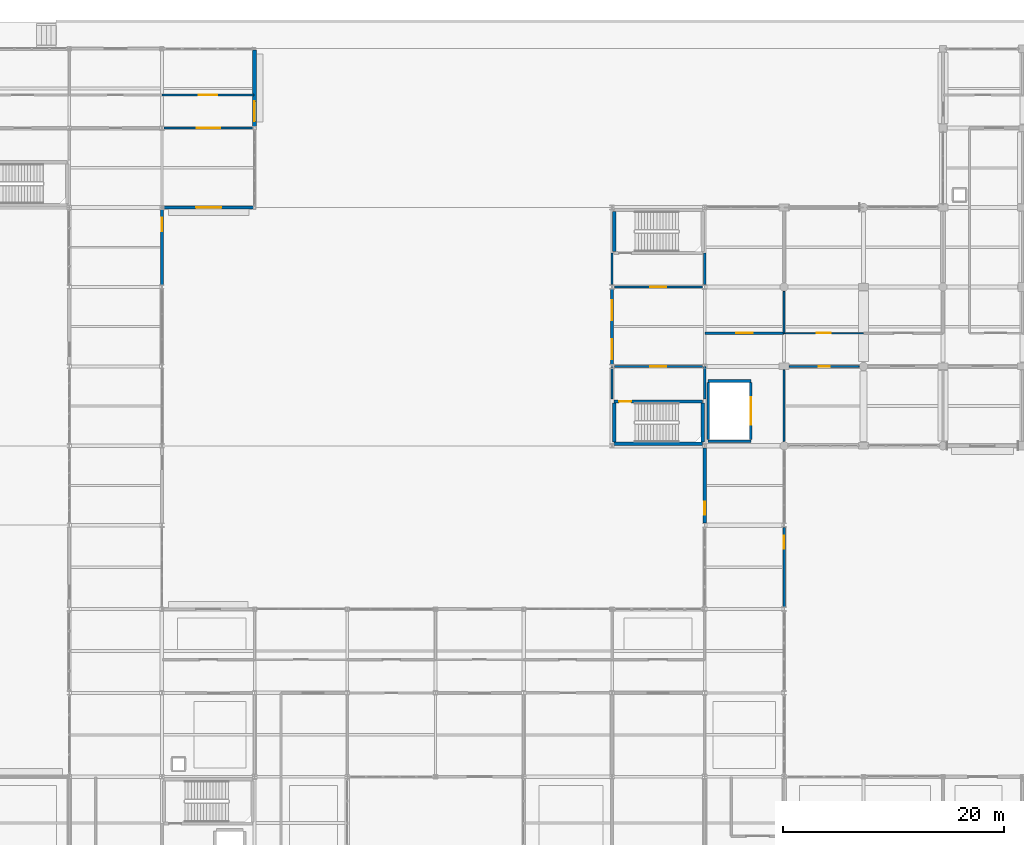
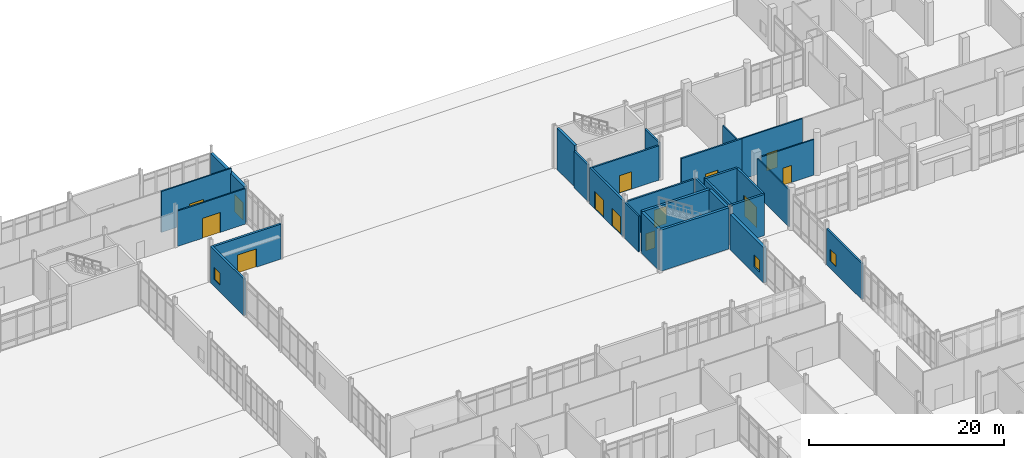
# One storey, part 197 of 229: 28 walls, 13 doors, 3 windows, 16 openings.
"""IFC4 building model written with IfcOpenShell, lengths in metres."""

from ifc_helpers import new_model, si_unit, direction, frame, frame_2d, origin, place, context, subcontext, project, spatial, rectangle, extrude, material, layer, layer_set, type_object, element, fill, save


model = new_model("IFC4")

# Units and contexts
model_context = context("Model", 3, precision=1e-05, world=origin(), true_north=direction((0.0, 1.0)))
body_context = subcontext(model_context, "Body", "Model", "MODEL_VIEW")
ifc_project = project(units=[si_unit("LENGTHUNIT", "METRE"), si_unit("AREAUNIT", "SQUARE_METRE"), si_unit("VOLUMEUNIT", "CUBIC_METRE"), si_unit("PLANEANGLEUNIT", "RADIAN"), si_unit("MASSUNIT", "GRAM", prefix="KILO")], contexts=[model_context])

# Site, building, storey
site_placement = place(None, origin())
site = spatial("IfcSite", under=ifc_project, at=site_placement, CompositionType="ELEMENT")
building_placement = place(site_placement, origin())
building = spatial("IfcBuilding", under=site, at=building_placement, Name="Calvrana Isthmian Art Gallery", CompositionType="ELEMENT")
storey_placement = place(building_placement, origin())
storey = spatial("IfcBuildingStorey", under=building, at=storey_placement, Name="L00", CompositionType="ELEMENT", Elevation=0.0)

# Wall
ifc_material_1 = material(Name="Concrete C40/50", Category="concrete")
ifc_layer_1 = layer(ifc_material_1, 0.300048828125, Name="Concrete C40/50")
ifc_layer_set_1 = layer_set([ifc_layer_1], Name="Concrete C40/50")
wall_type_1 = type_object("IfcWallType", Name="CW-SHAFT-300", PredefinedType="SHEAR", material=ifc_layer_set_1)
wall_1_placement = place(storey_placement, frame((104.590087890625, 77.0, 0.0), z_axis=(0.0, 0.0, 1.0), x_axis=(1.0, 0.0, 0.0)))
element("IfcWall", 1, at=wall_1_placement, inside=storey, type_object=wall_type_1, Name="Core C5 shear wall S L00", PredefinedType="SHEAR", context=body_context, shape_type="SweptSolid", body=[
    extrude(rectangle(XDim=8.02001953125, YDim=0.300048828125, at=frame_2d((4.010009765625, 0.0))), origin(), (0.0, 0.0, 1.0), 5.159912109375),
])

# Wall, opening, door
wall_2_placement = place(storey_placement, frame((104.590087890625, 80.820068359375, 0.0), z_axis=(0.0, 0.0, 1.0), x_axis=(1.0, 0.0, 0.0)))
wall_2 = element("IfcWall", 2, at=wall_2_placement, inside=storey, type_object=wall_type_1, Name="Core C5 shear wall N L00", PredefinedType="SHEAR", context=body_context, shape_type="SweptSolid", body=[
    extrude(rectangle(XDim=8.02001953125, YDim=0.300048828125, at=frame_2d((4.010009765625, 0.0))), origin(), (0.0, 0.0, 1.0), 5.159912109375),
])
opening_1_placement = place(wall_2_placement, frame((0.449951171875, 0.0, 0.0)))
opening_1 = element("IfcOpeningElement", 3, at=opening_1_placement, cuts=wall_2, Name="Opening D-158", PredefinedType="OPENING", context=body_context, shape_type="SweptSolid", body=[
    extrude(rectangle(XDim=1.10009765625, YDim=2.14990234375, at=frame_2d((0.550048828125, 1.074951171875))), frame((0.0, 0.16015625, 0.0), z_axis=(0.0, -1.0, 0.0), x_axis=(1.0, 0.0, 0.0)), (0.0, 0.0, 1.0), 0.320556640625),
])
ifc_material_2 = material(Name="Steel ASTM A572 Gr 50", Category="steel")
door_type_1 = type_object("IfcDoorType", Name="DR-FIRE-1100", OperationType="NOTDEFINED", PredefinedType="DOOR", material=ifc_material_2)
door_1_placement = place(opening_1_placement, origin())
door_1 = element("IfcDoor", 4, at=door_1_placement, inside=storey, type_object=door_type_1, Name="Stair ST-5 fire door L00", OperationType="SINGLE_SWING_RIGHT", OverallHeight=2.14990234375, OverallWidth=1.10009765625, PredefinedType="DOOR", context=body_context, shape_type="SweptSolid", body=[
    extrude(rectangle(XDim=1.10009765625, YDim=2.14990234375, at=frame_2d((0.550048828125, 1.074951171875))), frame((0.0, 0.02490234375, 0.0), z_axis=(0.0, -1.0, 0.0), x_axis=(1.0, 0.0, 0.0)), (0.0, 0.0, 1.0), 0.050048828125),
])
fill(opening_1, door_1)

# Walls
for number, where, z_axis, x_axis, name in (
    (5, (104.590087890625, 77.14990234375, 0.0), (0.0, 0.0, 1.0), (0.0, 1.0, 0.0), "Core C5 shear wall W L00"),
    (6, (112.610107421875, 77.14990234375, 0.0), (0.0, 0.0, 1.0), (0.0, 1.0, 0.0), "Core C5 shear wall E L00"),
):
    element("IfcWall", number, at=place(storey_placement, frame(where, z_axis=z_axis, x_axis=x_axis)), inside=storey, type_object=wall_type_1, Name=name, PredefinedType="SHEAR", context=body_context, shape_type="SweptSolid", body=[
        extrude(rectangle(XDim=3.52001953125, YDim=0.300048828125, at=frame_2d((1.760009765625, 0.0))), origin(), (0.0, 0.0, 1.0), 5.159912109375),
    ])
wall_3_placement = place(storey_placement, frame((104.590087890625, 94.429931640625, 0.0), z_axis=(0.0, 0.0, 1.0), x_axis=(0.0, 1.0, 0.0)))
element("IfcWall", 7, at=wall_3_placement, inside=storey, type_object=wall_type_1, Name="Core C8 shear wall W L00", PredefinedType="SHEAR", context=body_context, shape_type="SweptSolid", body=[
    extrude(rectangle(XDim=3.60009765625, YDim=0.300048828125, at=frame_2d((1.800048828125, 0.0))), origin(), (0.0, 0.0, 1.0), 5.159912109375),
])

# Wall, opening, window
ifc_material_3 = material(Name="Precast concrete C40/50", Category="concrete")
ifc_layer_2 = layer(ifc_material_3, 0.219970703125, Name="Precast concrete C40/50")
ifc_layer_set_2 = layer_set([ifc_layer_2], Name="Precast concrete C40/50")
wall_type_2 = type_object("IfcWallType", Name="EW-ACOUST-220", PredefinedType="SOLIDWALL", material=ifc_layer_set_2)
wall_4_placement = place(storey_placement, frame((120.0, 69.406982421875, 0.0), z_axis=(0.0, 0.0, 1.0), x_axis=(0.0, -1.0, 0.0)))
wall_4 = element("IfcWall", 8, at=wall_4_placement, inside=storey, type_object=wall_type_2, Name="Exterior wall EW-047", PredefinedType="SOLIDWALL", context=body_context, shape_type="SweptSolid", body=[
    extrude(rectangle(XDim=7.216552734375, YDim=0.219970703125, at=frame_2d((3.6083984375, 0.0))), origin(), (0.0, 0.0, 1.0), 4.512939453125),
])
opening_2_placement = place(wall_4_placement, frame((0.75, 0.0, 0.89990234375)))
opening_2 = element("IfcOpeningElement", 9, at=opening_2_placement, cuts=wall_4, Name="Opening W-017", PredefinedType="OPENING", context=body_context, shape_type="SweptSolid", body=[
    extrude(rectangle(XDim=1.199951171875, YDim=1.5, at=frame_2d((0.60009765625, 0.75))), frame((0.0, 0.1201171875, 0.0), z_axis=(0.0, -1.0, 0.0), x_axis=(1.0, 0.0, 0.0)), (0.0, 0.0, 1.0), 0.240478515625),
])
ifc_material_4 = material(Name="Low-E laminated solar glass", Category="glass")
window_type = type_object("IfcWindowType", Name="WN-G01", PartitioningType="SINGLE_PANEL", PredefinedType="WINDOW", material=ifc_material_4)
window_1_placement = place(opening_2_placement, origin())
window_1 = element("IfcWindow", 10, at=window_1_placement, inside=storey, type_object=window_type, Name="Facade window W-017", OverallHeight=1.5, OverallWidth=1.199951171875, PartitioningType="SINGLE_PANEL", PredefinedType="WINDOW", context=body_context, shape_type="SweptSolid", body=[
    extrude(rectangle(XDim=1.199951171875, YDim=1.5, at=frame_2d((0.60009765625, 0.75))), frame((0.0, 0.030029296875, 0.0), z_axis=(0.0, -1.0, 0.0), x_axis=(1.0, 0.0, 0.0)), (0.0, 0.0, 1.0), 0.06005859375),
])
fill(opening_2, window_1)

# Wall, opening, door
ifc_layer_3 = layer(ifc_material_3, 0.35009765625, Name="Precast concrete C40/50")
ifc_layer_set_3 = layer_set([ifc_layer_3], Name="Precast concrete C40/50")
wall_type_3 = type_object("IfcWallType", Name="EW-PREC-350", PredefinedType="SOLIDWALL", material=ifc_layer_set_3)
wall_5_placement = place(storey_placement, frame((72.0, 112.698486328125, 0.0), z_axis=(0.0, 0.0, 1.0), x_axis=(0.0, -1.0, 0.0)))
wall_5 = element("IfcWall", 11, at=wall_5_placement, inside=storey, type_object=wall_type_3, Name="Exterior wall EW-042", PredefinedType="SOLIDWALL", context=body_context, shape_type="SweptSolid", body=[
    extrude(rectangle(XDim=6.946044921875, YDim=0.35009765625, at=frame_2d((3.47314453125, 0.0))), origin(), (0.0, 0.0, 1.0), 4.532958984375),
])
opening_3_placement = place(wall_5_placement, frame((4.678466796875, 0.0, 0.0)))
opening_3 = element("IfcOpeningElement", 12, at=opening_3_placement, cuts=wall_5, Name="Opening D-E23", PredefinedType="OPENING", context=body_context, shape_type="SweptSolid", body=[
    extrude(rectangle(XDim=1.800048828125, YDim=2.199951171875, at=frame_2d((0.89990234375, 1.10009765625))), frame((0.0, 0.185302734375, 0.0), z_axis=(0.0, -1.0, 0.0), x_axis=(1.0, 0.0, 0.0)), (0.0, 0.0, 1.0), 0.37060546875),
])
door_type_2 = type_object("IfcDoorType", Name="DR-EXT-EXIT-1800", OperationType="DOUBLE_DOOR_SINGLE_SWING", PredefinedType="DOOR", material=ifc_material_2)
door_2_placement = place(opening_3_placement, origin())
door_2 = element("IfcDoor", 13, at=door_2_placement, inside=storey, type_object=door_type_2, Name="Protected corridor final exit D-E23", OperationType="DOUBLE_DOOR_SINGLE_SWING", OverallHeight=2.199951171875, OverallWidth=1.800048828125, PredefinedType="DOOR", context=body_context, shape_type="SweptSolid", body=[
    extrude(rectangle(XDim=1.800048828125, YDim=2.199951171875, at=frame_2d((0.89990234375, 1.10009765625))), frame((0.0, 0.02490234375, 0.0), z_axis=(0.0, -1.0, 0.0), x_axis=(1.0, 0.0, 0.0)), (0.0, 0.0, 1.0), 0.050048828125),
])
fill(opening_3, door_2)

# Wall, opening, window
wall_6_placement = place(storey_placement, frame((112.800048828125, 69.78662109375, 0.0), z_axis=(0.0, 0.0, 1.0), x_axis=(0.0, 1.0, 0.0)))
wall_6 = element("IfcWall", 14, at=wall_6_placement, inside=storey, type_object=wall_type_3, Name="Exterior wall EW-046", PredefinedType="SOLIDWALL", context=body_context, shape_type="SweptSolid", body=[
    extrude(rectangle(XDim=6.825439453125, YDim=0.35009765625, at=frame_2d((3.41259765625, 0.0))), origin(), (0.0, 0.0, 1.0), 4.472900390625),
])
opening_4_placement = place(wall_6_placement, frame((0.75, 0.0, 0.89990234375)))
opening_4 = element("IfcOpeningElement", 15, at=opening_4_placement, cuts=wall_6, Name="Opening W-016", PredefinedType="OPENING", context=body_context, shape_type="SweptSolid", body=[
    extrude(rectangle(XDim=1.199951171875, YDim=1.5, at=frame_2d((0.60009765625, 0.75))), frame((0.0, 0.185302734375, 0.0), z_axis=(0.0, -1.0, 0.0), x_axis=(1.0, 0.0, 0.0)), (0.0, 0.0, 1.0), 0.37060546875),
])
window_2_placement = place(opening_4_placement, origin())
window_2 = element("IfcWindow", 16, at=window_2_placement, inside=storey, type_object=window_type, Name="Facade window W-016", OverallHeight=1.5, OverallWidth=1.199951171875, PartitioningType="SINGLE_PANEL", PredefinedType="WINDOW", context=body_context, shape_type="SweptSolid", body=[
    extrude(rectangle(XDim=1.199951171875, YDim=1.5, at=frame_2d((0.60009765625, 0.75))), frame((0.0, 0.030029296875, 0.0), z_axis=(0.0, -1.0, 0.0), x_axis=(1.0, 0.0, 0.0)), (0.0, 0.0, 1.0), 0.06005859375),
])
fill(opening_4, window_2)

# Wall, opening, door
ifc_material_5 = material(Name="Polychrome glazed terracotta", Category="masonry")
ifc_layer_4 = layer(ifc_material_5, 0.25, Name="Polychrome glazed terracotta")
ifc_layer_set_4 = layer_set([ifc_layer_4], Name="Polychrome glazed terracotta")
wall_type_4 = type_object("IfcWallType", Name="EW-TERRA-250", PredefinedType="SOLIDWALL", material=ifc_layer_set_4)
wall_7_placement = place(storey_placement, frame((71.8984375, 98.39990234375, 0.0), z_axis=(0.0, 0.0, 1.0), x_axis=(-1.0, 0.0, 0.0)))
wall_7 = element("IfcWall", 17, at=wall_7_placement, inside=storey, type_object=wall_type_4, Name="Exterior wall EW-021", PredefinedType="SOLIDWALL", context=body_context, shape_type="SweptSolid", body=[
    extrude(rectangle(XDim=8.11181640625, YDim=0.25, at=frame_2d((4.055908203125, 0.0))), origin(), (0.0, 0.0, 1.0), 4.3779296875),
])
opening_5_placement = place(wall_7_placement, frame((2.906005859375, 0.0, 0.0)))
opening_5 = element("IfcOpeningElement", 18, at=opening_5_placement, cuts=wall_7, Name="Opening VG-03", PredefinedType="OPENING", context=body_context, shape_type="SweptSolid", body=[
    extrude(rectangle(XDim=2.300048828125, YDim=2.300048828125, at=frame_2d((1.14990234375, 1.14990234375))), frame((0.0, 0.13525390625, 0.0), z_axis=(0.0, -1.0, 0.0), x_axis=(1.0, 0.0, 0.0)), (0.0, 0.0, 1.0), 0.2705078125),
])
ifc_material_6 = material(Name="Anodized bronze aluminium 6063-T6", Category="aluminium")
door_type_3 = type_object("IfcDoorType", Name="GT-YARD-2300", OperationType="DOUBLE_DOOR_SINGLE_SWING", PredefinedType="GATE", material=ifc_material_6)
door_3_placement = place(opening_5_placement, origin())
door_3 = element("IfcDoor", 19, at=door_3_placement, inside=storey, type_object=door_type_3, Name="Service court security gate VG-03", OperationType="DOUBLE_DOOR_SINGLE_SWING", OverallHeight=2.300048828125, OverallWidth=2.300048828125, PredefinedType="GATE", context=body_context, shape_type="SweptSolid", body=[
    extrude(rectangle(XDim=2.300048828125, YDim=2.300048828125, at=frame_2d((1.14990234375, 1.14990234375))), frame((0.0, 0.02490234375, 0.0), z_axis=(0.0, -1.0, 0.0), x_axis=(1.0, 0.0, 0.0)), (0.0, 0.0, 1.0), 0.050048828125),
])
fill(opening_5, door_3)

# Wall, opening, window
wall_8_placement = place(storey_placement, frame((63.60009765625, 98.216064453125, 0.0), z_axis=(0.0, 0.0, 1.0), x_axis=(0.0, -1.0, 0.0)))
wall_8 = element("IfcWall", 20, at=wall_8_placement, inside=storey, type_object=wall_type_4, Name="Exterior wall EW-041", PredefinedType="SOLIDWALL", context=body_context, shape_type="SweptSolid", body=[
    extrude(rectangle(XDim=6.83447265625, YDim=0.25, at=frame_2d((3.417236328125, 0.0))), origin(), (0.0, 0.0, 1.0), 4.60693359375),
])
opening_6_placement = place(wall_8_placement, frame((0.75, 0.0, 0.89990234375)))
opening_6 = element("IfcOpeningElement", 21, at=opening_6_placement, cuts=wall_8, Name="Opening W-013", PredefinedType="OPENING", context=body_context, shape_type="SweptSolid", body=[
    extrude(rectangle(XDim=1.199951171875, YDim=1.5, at=frame_2d((0.60009765625, 0.75))), frame((0.0, 0.13525390625, 0.0), z_axis=(0.0, -1.0, 0.0), x_axis=(1.0, 0.0, 0.0)), (0.0, 0.0, 1.0), 0.2705078125),
])
window_3_placement = place(opening_6_placement, origin())
window_3 = element("IfcWindow", 22, at=window_3_placement, inside=storey, type_object=window_type, Name="Facade window W-013", OverallHeight=1.5, OverallWidth=1.199951171875, PartitioningType="SINGLE_PANEL", PredefinedType="WINDOW", context=body_context, shape_type="SweptSolid", body=[
    extrude(rectangle(XDim=1.199951171875, YDim=1.5, at=frame_2d((0.60009765625, 0.75))), frame((0.0, 0.030029296875, 0.0), z_axis=(0.0, -1.0, 0.0), x_axis=(1.0, 0.0, 0.0)), (0.0, 0.0, 1.0), 0.06005859375),
])
fill(opening_6, window_3)

# Wall, openings, doors
wall_9_placement = place(storey_placement, frame((104.39990234375, 84.193115234375, 0.0), z_axis=(0.0, 0.0, 1.0), x_axis=(0.0, 1.0, 0.0)))
wall_9 = element("IfcWall", 23, at=wall_9_placement, inside=storey, type_object=wall_type_4, Name="Exterior wall EW-045", PredefinedType="SOLIDWALL", context=body_context, shape_type="SweptSolid", body=[
    extrude(rectangle(XDim=6.8203125, YDim=0.25, at=frame_2d((3.41015625, 0.0))), origin(), (0.0, 0.0, 1.0), 4.547119140625),
])
opening_7_placement = place(wall_9_placement, frame((0.45703125, 0.0, 0.0)))
opening_7 = element("IfcOpeningElement", 24, at=opening_7_placement, cuts=wall_9, Name="Opening D-E24", PredefinedType="OPENING", context=body_context, shape_type="SweptSolid", body=[
    extrude(rectangle(XDim=1.800048828125, YDim=2.199951171875, at=frame_2d((0.89990234375, 1.10009765625))), frame((0.0, 0.13525390625, 0.0), z_axis=(0.0, -1.0, 0.0), x_axis=(1.0, 0.0, 0.0)), (0.0, 0.0, 1.0), 0.2705078125),
])
opening_8_placement = place(wall_9_placement, frame((4.007080078125, 0.0, 0.0)))
opening_8 = element("IfcOpeningElement", 25, at=opening_8_placement, cuts=wall_9, Name="Opening D-E25", PredefinedType="OPENING", context=body_context, shape_type="SweptSolid", body=[
    extrude(rectangle(XDim=1.800048828125, YDim=2.199951171875, at=frame_2d((0.89990234375, 1.10009765625))), frame((0.0, 0.13525390625, 0.0), z_axis=(0.0, -1.0, 0.0), x_axis=(1.0, 0.0, 0.0)), (0.0, 0.0, 1.0), 0.2705078125),
])
door_4_placement = place(opening_7_placement, origin())
door_4 = element("IfcDoor", 26, at=door_4_placement, inside=storey, type_object=door_type_2, Name="Protected corridor final exit D-E24", OperationType="DOUBLE_DOOR_SINGLE_SWING", OverallHeight=2.199951171875, OverallWidth=1.800048828125, PredefinedType="DOOR", context=body_context, shape_type="SweptSolid", body=[
    extrude(rectangle(XDim=1.800048828125, YDim=2.199951171875, at=frame_2d((0.89990234375, 1.10009765625))), frame((0.0, 0.02490234375, 0.0), z_axis=(0.0, -1.0, 0.0), x_axis=(1.0, 0.0, 0.0)), (0.0, 0.0, 1.0), 0.050048828125),
])
fill(opening_7, door_4)
door_5_placement = place(opening_8_placement, origin())
door_5 = element("IfcDoor", 27, at=door_5_placement, inside=storey, type_object=door_type_2, Name="Protected corridor final exit D-E25", OperationType="DOUBLE_DOOR_SINGLE_SWING", OverallHeight=2.199951171875, OverallWidth=1.800048828125, PredefinedType="DOOR", context=body_context, shape_type="SweptSolid", body=[
    extrude(rectangle(XDim=1.800048828125, YDim=2.199951171875, at=frame_2d((0.89990234375, 1.10009765625))), frame((0.0, 0.02490234375, 0.0), z_axis=(0.0, -1.0, 0.0), x_axis=(1.0, 0.0, 0.0)), (0.0, 0.0, 1.0), 0.050048828125),
])
fill(opening_8, door_5)

# Walls
ifc_material_7 = material(Name="Acoustic gypsum ceiling", Category="gypsum")
ifc_layer_5 = layer(ifc_material_7, 0.199951171875, Name="Acoustic gypsum ceiling")
ifc_layer_set_5 = layer_set([ifc_layer_5], Name="Acoustic gypsum ceiling")
wall_type_5 = type_object("IfcWallType", Name="PW-FIRE-200", PredefinedType="PARTITIONING", material=ifc_layer_set_5)
wall_10_placement = place(storey_placement, frame((104.39990234375, 81.0400390625, 0.0), z_axis=(0.0, 0.0, 1.0), x_axis=(0.0, 1.0, 0.0)))
element("IfcWall", 28, at=wall_10_placement, inside=storey, type_object=wall_type_5, Name="Core C5 lobby W closure L00", PredefinedType="PARTITIONING", context=body_context, shape_type="SweptSolid", body=[
    extrude(rectangle(XDim=2.93994140625, YDim=0.199951171875, at=frame_2d((1.469970703125, 0.0))), origin(), (0.0, 0.0, 1.0), 4.472900390625),
])
wall_11_placement = place(storey_placement, frame((112.800048828125, 81.0400390625, 0.0), z_axis=(0.0, 0.0, 1.0), x_axis=(0.0, 1.0, 0.0)))
element("IfcWall", 29, at=wall_11_placement, inside=storey, type_object=wall_type_5, Name="Core C5 lobby E closure L00", PredefinedType="PARTITIONING", context=body_context, shape_type="SweptSolid", body=[
    extrude(rectangle(XDim=2.93994140625, YDim=0.199951171875, at=frame_2d((1.469970703125, 0.0))), origin(), (0.0, 0.0, 1.0), 4.547119140625),
])

# Wall, opening, door
wall_12_placement = place(storey_placement, frame((104.6201171875, 84.0, 0.0), z_axis=(0.0, 0.0, 1.0), x_axis=(1.0, 0.0, 0.0)))
wall_12 = element("IfcWall", 30, at=wall_12_placement, inside=storey, type_object=wall_type_5, Name="Core C5 lobby enclosure L00", PredefinedType="PARTITIONING", context=body_context, shape_type="SweptSolid", body=[
    extrude(rectangle(XDim=7.9599609375, YDim=0.199951171875, at=frame_2d((3.97998046875, 0.0))), origin(), (0.0, 0.0, 1.0), 4.468017578125),
])
opening_9_placement = place(wall_12_placement, frame((3.2548828125, 0.0, 0.0)))
opening_9 = element("IfcOpeningElement", 31, at=opening_9_placement, cuts=wall_12, Name="Opening D-159", PredefinedType="OPENING", context=body_context, shape_type="SweptSolid", body=[
    extrude(rectangle(XDim=1.449951171875, YDim=2.199951171875, at=frame_2d((0.72509765625, 1.10009765625))), frame((0.0, 0.1103515625, 0.0), z_axis=(0.0, -1.0, 0.0), x_axis=(1.0, 0.0, 0.0)), (0.0, 0.0, 1.0), 0.220458984375),
])
door_type_4 = type_object("IfcDoorType", Name="DR-LOBBY-1450", OperationType="DOUBLE_DOOR_SINGLE_SWING", PredefinedType="DOOR", material=ifc_material_2)
door_6_placement = place(opening_9_placement, origin())
door_6 = element("IfcDoor", 32, at=door_6_placement, inside=storey, type_object=door_type_4, Name="Core C5 lobby fire door L00", OperationType="DOUBLE_DOOR_SINGLE_SWING", OverallHeight=2.199951171875, OverallWidth=1.449951171875, PredefinedType="DOOR", context=body_context, shape_type="SweptSolid", body=[
    extrude(rectangle(XDim=1.449951171875, YDim=2.199951171875, at=frame_2d((0.72509765625, 1.10009765625))), frame((0.0, 0.02490234375, 0.0), z_axis=(0.0, -1.0, 0.0), x_axis=(1.0, 0.0, 0.0)), (0.0, 0.0, 1.0), 0.050048828125),
])
fill(opening_9, door_6)

# Walls
wall_13_placement = place(storey_placement, frame((104.39990234375, 91.419921875, 0.0), z_axis=(0.0, 0.0, 1.0), x_axis=(0.0, 1.0, 0.0)))
element("IfcWall", 33, at=wall_13_placement, inside=storey, type_object=wall_type_5, Name="Core C8 lobby W closure L00", PredefinedType="PARTITIONING", context=body_context, shape_type="SweptSolid", body=[
    extrude(rectangle(XDim=2.840087890625, YDim=0.199951171875, at=frame_2d((1.419921875, 0.0))), origin(), (0.0, 0.0, 1.0), 4.617919921875),
])
wall_14_placement = place(storey_placement, frame((112.800048828125, 91.419921875, 0.0), z_axis=(0.0, 0.0, 1.0), x_axis=(0.0, 1.0, 0.0)))
element("IfcWall", 34, at=wall_14_placement, inside=storey, type_object=wall_type_5, Name="Core C8 lobby E closure L00", PredefinedType="PARTITIONING", context=body_context, shape_type="SweptSolid", body=[
    extrude(rectangle(XDim=2.840087890625, YDim=0.199951171875, at=frame_2d((1.419921875, 0.0))), origin(), (0.0, 0.0, 1.0), 4.468017578125),
])

# Wall, opening, door
wall_15_placement = place(storey_placement, frame((104.6201171875, 91.199951171875, 0.0), z_axis=(0.0, 0.0, 1.0), x_axis=(1.0, 0.0, 0.0)))
wall_15 = element("IfcWall", 35, at=wall_15_placement, inside=storey, type_object=wall_type_5, Name="Core C8 lobby enclosure L00", PredefinedType="PARTITIONING", context=body_context, shape_type="SweptSolid", body=[
    extrude(rectangle(XDim=7.9599609375, YDim=0.199951171875, at=frame_2d((3.97998046875, 0.0))), origin(), (0.0, 0.0, 1.0), 4.318115234375),
])
opening_10_placement = place(wall_15_placement, frame((3.2548828125, 0.0, 0.0)))
opening_10 = element("IfcOpeningElement", 36, at=opening_10_placement, cuts=wall_15, Name="Opening D-183", PredefinedType="OPENING", context=body_context, shape_type="SweptSolid", body=[
    extrude(rectangle(XDim=1.449951171875, YDim=2.199951171875, at=frame_2d((0.72509765625, 1.10009765625))), frame((0.0, 0.1103515625, 0.0), z_axis=(0.0, -1.0, 0.0), x_axis=(1.0, 0.0, 0.0)), (0.0, 0.0, 1.0), 0.220458984375),
])
door_7_placement = place(opening_10_placement, origin())
door_7 = element("IfcDoor", 37, at=door_7_placement, inside=storey, type_object=door_type_4, Name="Core C8 lobby fire door L00", OperationType="DOUBLE_DOOR_SINGLE_SWING", OverallHeight=2.199951171875, OverallWidth=1.449951171875, PredefinedType="DOOR", context=body_context, shape_type="SweptSolid", body=[
    extrude(rectangle(XDim=1.449951171875, YDim=2.199951171875, at=frame_2d((0.72509765625, 1.10009765625))), frame((0.0, 0.02490234375, 0.0), z_axis=(0.0, -1.0, 0.0), x_axis=(1.0, 0.0, 0.0)), (0.0, 0.0, 1.0), 0.050048828125),
])
fill(opening_10, door_7)

wall_16_placement = place(storey_placement, frame((112.81005859375, 87.010009765625, 0.0), z_axis=(0.0, 0.0, 1.0), x_axis=(1.0, 0.0, 0.0)))
wall_16 = element("IfcWall", 38, at=wall_16_placement, inside=storey, type_object=wall_type_5, Name="Interior partition PW-240", PredefinedType="PARTITIONING", context=body_context, shape_type="SweptSolid", body=[
    extrude(rectangle(XDim=7.179931640625, YDim=0.199951171875, at=frame_2d((3.58984375, 0.0))), origin(), (0.0, 0.0, 1.0), 5.139892578125),
])
opening_11_placement = place(wall_16_placement, frame((2.840087890625, 0.0, 0.0)))
opening_11 = element("IfcOpeningElement", 39, at=opening_11_placement, cuts=wall_16, Name="Opening D-315", PredefinedType="OPENING", context=body_context, shape_type="SweptSolid", body=[
    extrude(rectangle(XDim=1.5, YDim=2.199951171875, at=frame_2d((0.75, 1.10009765625))), frame((0.0, 0.1103515625, 0.0), z_axis=(0.0, -1.0, 0.0), x_axis=(1.0, 0.0, 0.0)), (0.0, 0.0, 1.0), 0.220458984375),
])
door_type_5 = type_object("IfcDoorType", Name="DR-STAIR-1500", OperationType="NOTDEFINED", PredefinedType="DOOR", material=ifc_material_2)
door_8_placement = place(opening_11_placement, origin())
door_8 = element("IfcDoor", 40, at=door_8_placement, inside=storey, type_object=door_type_5, Name="Interior door D-315", OperationType="SINGLE_SWING_LEFT", OverallHeight=2.199951171875, OverallWidth=1.5, PredefinedType="DOOR", context=body_context, shape_type="SweptSolid", body=[
    extrude(rectangle(XDim=1.5, YDim=2.199951171875, at=frame_2d((0.75, 1.10009765625))), frame((0.0, 0.02490234375, 0.0), z_axis=(0.0, -1.0, 0.0), x_axis=(1.0, 0.0, 0.0)), (0.0, 0.0, 1.0), 0.050048828125),
])
fill(opening_11, door_8)

# Wall
ifc_layer_6 = layer(ifc_material_7, 0.159912109375, Name="Acoustic gypsum ceiling")
ifc_layer_set_6 = layer_set([ifc_layer_6], Name="Acoustic gypsum ceiling")
wall_type_6 = type_object("IfcWallType", Name="PW-GAL-160", PredefinedType="PARTITIONING", material=ifc_layer_set_6)
wall_17_placement = place(storey_placement, frame((120.0, 77.18994140625, 0.0), z_axis=(0.0, 0.0, 1.0), x_axis=(0.0, 1.0, 0.0)))
element("IfcWall", 41, at=wall_17_placement, inside=storey, type_object=wall_type_6, Name="Interior partition PW-230", PredefinedType="PARTITIONING", context=body_context, shape_type="SweptSolid", body=[
    extrude(rectangle(XDim=6.4951171875, YDim=0.159912109375, at=frame_2d((3.24755859375, 0.0))), origin(), (0.0, 0.0, 1.0), 4.617919921875),
])

# Wall, opening, door
wall_18_placement = place(storey_placement, frame((120.465087890625, 84.0, 0.0), z_axis=(0.0, 0.0, 1.0), x_axis=(1.0, 0.0, 0.0)))
wall_18 = element("IfcWall", 42, at=wall_18_placement, inside=storey, type_object=wall_type_6, Name="Interior partition PW-231", PredefinedType="PARTITIONING", context=body_context, shape_type="SweptSolid", body=[
    extrude(rectangle(XDim=6.344970703125, YDim=0.159912109375, at=frame_2d((3.17236328125, 0.0))), origin(), (0.0, 0.0, 1.0), 4.472900390625),
])
opening_12_placement = place(wall_18_placement, frame((2.672607421875, 0.0, 0.0)))
opening_12 = element("IfcOpeningElement", 43, at=opening_12_placement, cuts=wall_18, Name="Opening D-309", PredefinedType="OPENING", context=body_context, shape_type="SweptSolid", body=[
    extrude(rectangle(XDim=1.0, YDim=2.14990234375, at=frame_2d((0.5, 1.074951171875))), frame((0.0, 0.09033203125, 0.0), z_axis=(0.0, -1.0, 0.0), x_axis=(1.0, 0.0, 0.0)), (0.0, 0.0, 1.0), 0.180419921875),
])
ifc_material_8 = material(Name="Timber gallery flooring", Category="wood")
door_type_6 = type_object("IfcDoorType", Name="DR-RM-1000", OperationType="NOTDEFINED", PredefinedType="DOOR", material=ifc_material_8)
door_9_placement = place(opening_12_placement, origin())
door_9 = element("IfcDoor", 44, at=door_9_placement, inside=storey, type_object=door_type_6, Name="Interior door D-309", OperationType="SINGLE_SWING_RIGHT", OverallHeight=2.14990234375, OverallWidth=1.0, PredefinedType="DOOR", context=body_context, shape_type="SweptSolid", body=[
    extrude(rectangle(XDim=1.0, YDim=2.14990234375, at=frame_2d((0.5, 1.074951171875))), frame((0.0, 0.02490234375, 0.0), z_axis=(0.0, -1.0, 0.0), x_axis=(1.0, 0.0, 0.0)), (0.0, 0.0, 1.0), 0.050048828125),
])
fill(opening_12, door_9)

# Wall
wall_19_placement = place(storey_placement, frame((120.0, 87.02001953125, 0.0), z_axis=(0.0, 0.0, 1.0), x_axis=(0.0, 1.0, 0.0)))
element("IfcWall", 45, at=wall_19_placement, inside=storey, type_object=wall_type_6, Name="Interior partition PW-241", PredefinedType="PARTITIONING", context=body_context, shape_type="SweptSolid", body=[
    extrude(rectangle(XDim=3.7900390625, YDim=0.159912109375, at=frame_2d((1.89501953125, 0.0))), origin(), (0.0, 0.0, 1.0), 4.468017578125),
])

# Wall, opening, door
wall_20_placement = place(storey_placement, frame((120.010009765625, 87.010009765625, 0.0), z_axis=(0.0, 0.0, 1.0), x_axis=(1.0, 0.0, 0.0)))
wall_20 = element("IfcWall", 46, at=wall_20_placement, inside=storey, type_object=wall_type_6, Name="Interior partition PW-243", PredefinedType="PARTITIONING", context=body_context, shape_type="SweptSolid", body=[
    extrude(rectangle(XDim=7.179931640625, YDim=0.159912109375, at=frame_2d((3.58984375, 0.0))), origin(), (0.0, 0.0, 1.0), 5.139892578125),
])
opening_13_placement = place(wall_20_placement, frame((2.93994140625, 0.0, 0.0)))
opening_13 = element("IfcOpeningElement", 47, at=opening_13_placement, cuts=wall_20, Name="Opening D-316", PredefinedType="OPENING", context=body_context, shape_type="SweptSolid", body=[
    extrude(rectangle(XDim=1.300048828125, YDim=2.199951171875, at=frame_2d((0.64990234375, 1.10009765625))), frame((0.0, 0.09033203125, 0.0), z_axis=(0.0, -1.0, 0.0), x_axis=(1.0, 0.0, 0.0)), (0.0, 0.0, 1.0), 0.180419921875),
])
door_type_7 = type_object("IfcDoorType", Name="DR-RM-1300", OperationType="NOTDEFINED", PredefinedType="DOOR", material=ifc_material_8)
door_10_placement = place(opening_13_placement, origin())
door_10 = element("IfcDoor", 48, at=door_10_placement, inside=storey, type_object=door_type_7, Name="Interior door D-316", OperationType="SINGLE_SWING_RIGHT", OverallHeight=2.199951171875, OverallWidth=1.300048828125, PredefinedType="DOOR", context=body_context, shape_type="SweptSolid", body=[
    extrude(rectangle(XDim=1.300048828125, YDim=2.199951171875, at=frame_2d((0.64990234375, 1.10009765625))), frame((0.0, 0.02490234375, 0.0), z_axis=(0.0, -1.0, 0.0), x_axis=(1.0, 0.0, 0.0)), (0.0, 0.0, 1.0), 0.050048828125),
])
fill(opening_13, door_10)

wall_21_placement = place(storey_placement, frame((63.801513671875, 105.60009765625, 0.0), z_axis=(0.0, 0.0, 1.0), x_axis=(1.0, 0.0, 0.0)))
wall_21 = element("IfcWall", 49, at=wall_21_placement, inside=storey, type_object=wall_type_6, Name="Interior partition PW-279", PredefinedType="PARTITIONING", context=body_context, shape_type="SweptSolid", body=[
    extrude(rectangle(XDim=8.031005859375, YDim=0.159912109375, at=frame_2d((4.015625, 0.0))), origin(), (0.0, 0.0, 1.0), 4.447021484375),
])
opening_14_placement = place(wall_21_placement, frame((2.965576171875, 0.0, 0.0)))
opening_14 = element("IfcOpeningElement", 50, at=opening_14_placement, cuts=wall_21, Name="Opening D-336", PredefinedType="OPENING", context=body_context, shape_type="SweptSolid", body=[
    extrude(rectangle(XDim=2.10009765625, YDim=2.5, at=frame_2d((1.050048828125, 1.25))), frame((0.0, 0.09033203125, 0.0), z_axis=(0.0, -1.0, 0.0), x_axis=(1.0, 0.0, 0.0)), (0.0, 0.0, 1.0), 0.180419921875),
])
door_type_8 = type_object("IfcDoorType", Name="DR-GAL-2100", OperationType="DOUBLE_DOOR_SINGLE_SWING", PredefinedType="DOOR", material=ifc_material_8)
door_11_placement = place(opening_14_placement, origin())
door_11 = element("IfcDoor", 51, at=door_11_placement, inside=storey, type_object=door_type_8, Name="Interior door D-336", OperationType="DOUBLE_DOOR_SINGLE_SWING", OverallHeight=2.5, OverallWidth=2.10009765625, PredefinedType="DOOR", context=body_context, shape_type="SweptSolid", body=[
    extrude(rectangle(XDim=2.10009765625, YDim=2.5, at=frame_2d((1.050048828125, 1.25))), frame((0.0, 0.02490234375, 0.0), z_axis=(0.0, -1.0, 0.0), x_axis=(1.0, 0.0, 0.0)), (0.0, 0.0, 1.0), 0.050048828125),
])
fill(opening_14, door_11)

wall_22_placement = place(storey_placement, frame((63.610107421875, 108.610107421875, 0.0), z_axis=(0.0, 0.0, 1.0), x_axis=(1.0, 0.0, 0.0)))
wall_22 = element("IfcWall", 52, at=wall_22_placement, inside=storey, type_object=wall_type_6, Name="Interior partition PW-292", PredefinedType="PARTITIONING", context=body_context, shape_type="SweptSolid", body=[
    extrude(rectangle(XDim=8.329833984375, YDim=0.159912109375, at=frame_2d((4.1650390625, 0.0))), origin(), (0.0, 0.0, 1.0), 5.139892578125),
])
opening_15_placement = place(wall_22_placement, frame((3.31494140625, 0.0, 0.0)))
opening_15 = element("IfcOpeningElement", 53, at=opening_15_placement, cuts=wall_22, Name="Opening D-345", PredefinedType="OPENING", context=body_context, shape_type="SweptSolid", body=[
    extrude(rectangle(XDim=1.699951171875, YDim=2.39990234375, at=frame_2d((0.85009765625, 1.199951171875))), frame((0.0, 0.09033203125, 0.0), z_axis=(0.0, -1.0, 0.0), x_axis=(1.0, 0.0, 0.0)), (0.0, 0.0, 1.0), 0.180419921875),
])
door_type_9 = type_object("IfcDoorType", Name="DR-GAL-1700", OperationType="DOUBLE_DOOR_SINGLE_SWING", PredefinedType="DOOR", material=ifc_material_8)
door_12_placement = place(opening_15_placement, origin())
door_12 = element("IfcDoor", 54, at=door_12_placement, inside=storey, type_object=door_type_9, Name="Interior door D-345", OperationType="DOUBLE_DOOR_SINGLE_SWING", OverallHeight=2.39990234375, OverallWidth=1.699951171875, PredefinedType="DOOR", context=body_context, shape_type="SweptSolid", body=[
    extrude(rectangle(XDim=1.699951171875, YDim=2.39990234375, at=frame_2d((0.85009765625, 1.199951171875))), frame((0.0, 0.02490234375, 0.0), z_axis=(0.0, -1.0, 0.0), x_axis=(1.0, 0.0, 0.0)), (0.0, 0.0, 1.0), 0.050048828125),
])
fill(opening_15, door_12)

# Walls
ifc_material_9 = material(Name="Concrete C35/45", Category="concrete")
ifc_layer_7 = layer(ifc_material_9, 0.25, Name="Concrete C35/45")
ifc_layer_set_7 = layer_set([ifc_layer_7], Name="Concrete C35/45")
wall_type_7 = type_object("IfcWallType", Name="PW-SHAFT-250", PredefinedType="PARTITIONING", material=ifc_layer_set_7)
for number, where, z_axis, x_axis, name in (
    (55, (113.1201171875, 82.679931640625, 0.0), (0.0, 0.0, 1.0), (1.0, 0.0, 0.0), "Goods lift L-G2 shaft N L00"),
    (56, (113.1201171875, 77.219970703125, 0.0), (0.0, 0.0, 1.0), (1.0, 0.0, 0.0), "Goods lift L-G2 shaft S L00"),
):
    element("IfcWall", number, at=place(storey_placement, frame(where, z_axis=z_axis, x_axis=x_axis)), inside=storey, type_object=wall_type_7, Name=name, PredefinedType="PARTITIONING", context=body_context, shape_type="SweptSolid", body=[
        extrude(rectangle(XDim=3.85986328125, YDim=0.25, at=frame_2d((1.929931640625, 0.0))), origin(), (0.0, 0.0, 1.0), 5.159912109375),
    ])
wall_23_placement = place(storey_placement, frame((113.1201171875, 77.35009765625, 0.0), z_axis=(0.0, 0.0, 1.0), x_axis=(0.0, 1.0, 0.0)))
element("IfcWall", 57, at=wall_23_placement, inside=storey, type_object=wall_type_7, Name="Goods lift L-G2 shaft W L00", PredefinedType="PARTITIONING", context=body_context, shape_type="SweptSolid", body=[
    extrude(rectangle(XDim=5.199951171875, YDim=0.25, at=frame_2d((2.60009765625, 0.0))), origin(), (0.0, 0.0, 1.0), 5.159912109375),
])

# Wall, opening, door
wall_24_placement = place(storey_placement, frame((116.97998046875, 77.35009765625, 0.0), z_axis=(0.0, 0.0, 1.0), x_axis=(0.0, 1.0, 0.0)))
wall_24 = element("IfcWall", 58, at=wall_24_placement, inside=storey, type_object=wall_type_7, Name="Goods lift L-G2 shaft E L00", PredefinedType="PARTITIONING", context=body_context, shape_type="SweptSolid", body=[
    extrude(rectangle(XDim=5.199951171875, YDim=0.25, at=frame_2d((2.60009765625, 0.0))), origin(), (0.0, 0.0, 1.0), 5.159912109375),
])
opening_16_placement = place(wall_24_placement, frame((1.35009765625, 0.0, 0.0)))
opening_16 = element("IfcOpeningElement", 59, at=opening_16_placement, cuts=wall_24, Name="Opening LD-G2-L00", PredefinedType="OPENING", context=body_context, shape_type="SweptSolid", body=[
    extrude(rectangle(XDim=2.5, YDim=2.60009765625, at=frame_2d((1.25, 1.300048828125))), frame((0.0, 0.13525390625, 0.0), z_axis=(0.0, -1.0, 0.0), x_axis=(1.0, 0.0, 0.0)), (0.0, 0.0, 1.0), 0.2705078125),
])
ifc_material_10 = material(Name="Stainless steel 316", Category="steel")
door_type_10 = type_object("IfcDoorType", Name="DR-GLIFT-2500", OperationType="DOUBLE_DOOR_SLIDING", PredefinedType="DOOR", material=ifc_material_10)
door_13_placement = place(opening_16_placement, origin())
door_13 = element("IfcDoor", 60, at=door_13_placement, inside=storey, type_object=door_type_10, Name="Freight goods lift L-G2 sliding door L00", OperationType="DOUBLE_DOOR_SLIDING", OverallHeight=2.60009765625, OverallWidth=2.5, PredefinedType="DOOR", context=body_context, shape_type="SweptSolid", body=[
    extrude(rectangle(XDim=2.5, YDim=2.60009765625, at=frame_2d((1.25, 1.300048828125))), frame((0.0, 0.02490234375, 0.0), z_axis=(0.0, -1.0, 0.0), x_axis=(1.0, 0.0, 0.0)), (0.0, 0.0, 1.0), 0.050048828125),
])
fill(opening_16, door_13)

save(model, "model.ifc")
